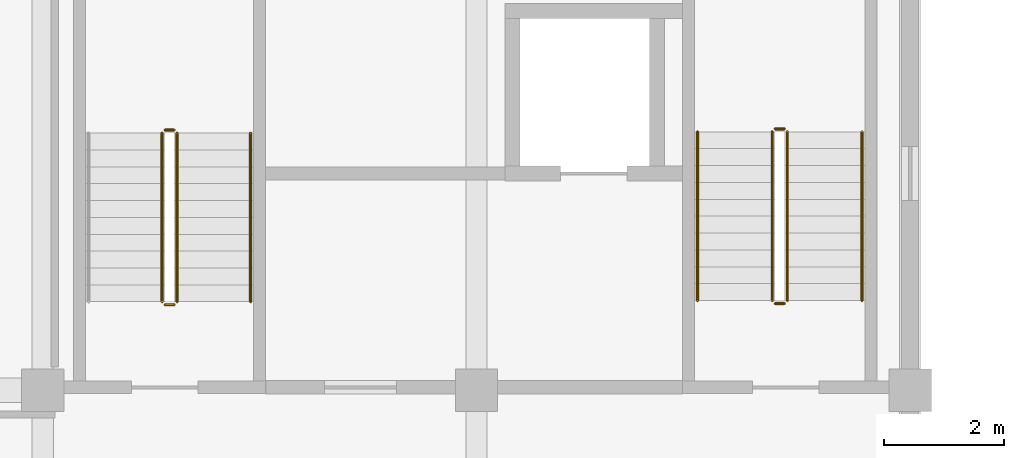
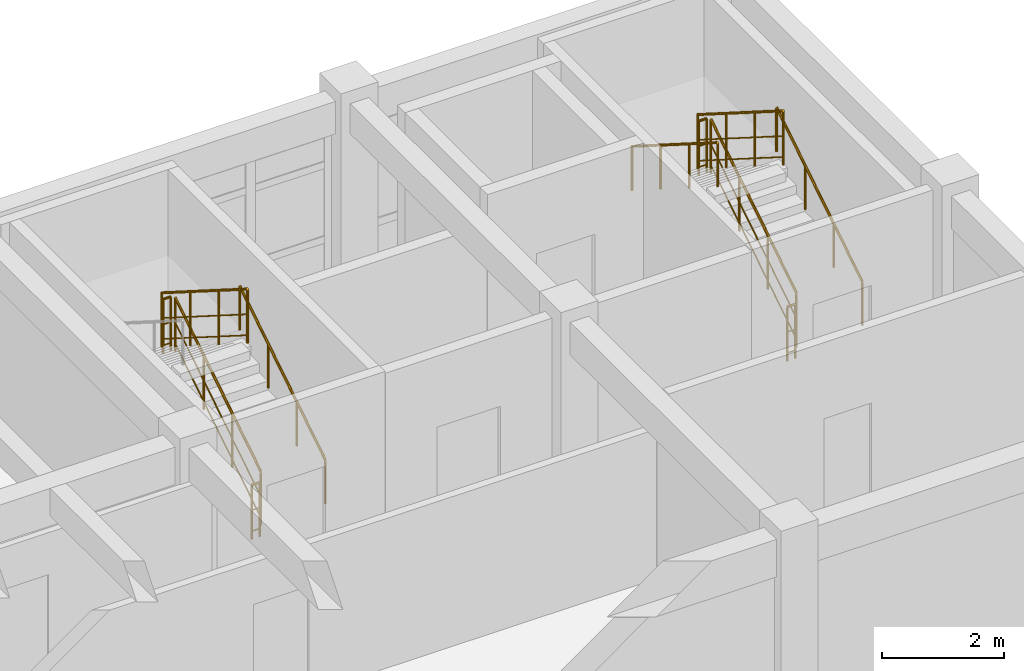
# One storey, part 52 of 54: 11 railings.
"""IFC4 building model written with IfcOpenShell, lengths in metres."""

from ifc_helpers import new_model, si_unit, direction, frame, origin, origin_2d, place, context, subcontext, project, spatial, circle, extrude, material, layer, layer_set, type_object, element, save


model = new_model("IFC4")

# Units and contexts
model_context = context("Model", 3, precision=1e-05, world=origin(), true_north=direction((0.0, 1.0)))
body_context = subcontext(model_context, "Body", "Model", "MODEL_VIEW")
ifc_project = project(units=[si_unit("LENGTHUNIT", "METRE"), si_unit("AREAUNIT", "SQUARE_METRE"), si_unit("VOLUMEUNIT", "CUBIC_METRE"), si_unit("PLANEANGLEUNIT", "RADIAN"), si_unit("MASSUNIT", "GRAM", prefix="KILO")], contexts=[model_context])

# Site, building, storey
site_placement = place(None, origin())
site = spatial("IfcSite", under=ifc_project, at=site_placement, CompositionType="ELEMENT")
building_placement = place(site_placement, origin())
building = spatial("IfcBuilding", under=site, at=building_placement, Name="Koriwan Promenade Central Fire Station", CompositionType="ELEMENT")
storey_placement = place(building_placement, frame((0.0, 0.0, 9.60009765625)))
storey = spatial("IfcBuildingStorey", under=building, at=storey_placement, Name="L02", CompositionType="ELEMENT", Elevation=9.60009765625)

# Railings
ifc_material_1 = material(Name="Steel ASTM A500 Grade C", Category="steel")
ifc_layer_1 = layer(ifc_material_1, 0.050048828125, Name="Steel ASTM A500 Grade C")
ifc_layer_set_1 = layer_set([ifc_layer_1], Name="Steel ASTM A500 Grade C")
railing_type_1 = type_object("IfcRailingType", Name="StairGuard_1100", PredefinedType="BALUSTRADE", material=ifc_layer_set_1)
railing_1_placement = place(storey_placement, frame((98.760009765625, 109.489990234375, 0.17724609375)))
element("IfcRailing", 1, at=railing_1_placement, inside=storey, type_object=railing_type_1, Name="L02 ST04 stair guard 1", PredefinedType="BALUSTRADE", context=body_context, shape_type="SweptSolid", body=[
    extrude(circle(Radius=0.02392578125, at=origin_2d()), frame((0.0, 0.0, 1.076171875), z_axis=(0.0, 0.844908973607, 0.534910110503), x_axis=(-1.0, 0.0, 0.0)), (0.0, 0.0, 1.0), 3.31396484375),
    extrude(circle(Radius=0.012939453125, at=origin_2d()), frame((0.0, 0.0, 0.572021484375), z_axis=(0.0, 0.844908973607, 0.534910110503), x_axis=(-1.0, 0.0, 0.0)), (0.0, 0.0, 1.0), 3.31396484375),
    extrude(circle(Radius=0.012939453125, at=origin_2d()), frame((0.0, 0.0, 0.154052734375), z_axis=(0.0, 0.844908973607, 0.534910110503), x_axis=(-1.0, 0.0, 0.0)), (0.0, 0.0, 1.0), 3.31396484375),
    extrude(circle(Radius=0.02099609375, at=origin_2d()), origin(), (0.0, 0.0, 1.0), 1.052001953125),
    extrude(circle(Radius=0.02099609375, at=origin_2d()), frame((0.0, 0.933349609375, 0.5908203125)), (0.0, 0.0, 1.0), 1.052001953125),
    extrude(circle(Radius=0.02099609375, at=origin_2d()), frame((0.0, 1.86669921875, 1.181884765625)), (0.0, 0.0, 1.0), 1.052001953125),
    extrude(circle(Radius=0.02099609375, at=origin_2d()), frame((0.0, 2.800048828125, 1.772705078125)), (0.0, 0.0, 1.0), 1.052001953125),
])
railing_2_placement = place(storey_placement, frame((98.7099609375, 112.340087890625, 1.949951171875)))
element("IfcRailing", 2, at=railing_2_placement, inside=storey, type_object=railing_type_1, Name="L02 ST04 stair guard 2", PredefinedType="BALUSTRADE", context=body_context, shape_type="SweptSolid", body=[
    extrude(circle(Radius=0.02392578125, at=origin_2d()), frame((0.0, 0.0, 1.076171875), z_axis=(-1.0, 0.0, 0.0), x_axis=(0.0, -1.0, 0.0)), (0.0, 0.0, 1.0), 0.14990234375),
    extrude(circle(Radius=0.012939453125, at=origin_2d()), frame((0.0, 0.0, 0.572021484375), z_axis=(-1.0, 0.0, 0.0), x_axis=(0.0, -1.0, 0.0)), (0.0, 0.0, 1.0), 0.14990234375),
    extrude(circle(Radius=0.012939453125, at=origin_2d()), frame((0.0, 0.0, 0.154052734375), z_axis=(-1.0, 0.0, 0.0), x_axis=(0.0, -1.0, 0.0)), (0.0, 0.0, 1.0), 0.14990234375),
    extrude(circle(Radius=0.02099609375, at=origin_2d()), origin(), (0.0, 0.0, 1.0), 1.052001953125),
    extrude(circle(Radius=0.02099609375, at=origin_2d()), frame((-0.14990234375, 0.0, 0.0)), (0.0, 0.0, 1.0), 1.052001953125),
])
railing_3_placement = place(storey_placement, frame((98.510009765625, 112.2900390625, 2.127197265625)))
element("IfcRailing", 3, at=railing_3_placement, inside=storey, type_object=railing_type_1, Name="L02 ST04 stair guard 3", PredefinedType="BALUSTRADE", context=body_context, shape_type="SweptSolid", body=[
    extrude(circle(Radius=0.02392578125, at=origin_2d()), frame((0.0, 0.0, 1.076171875), z_axis=(0.0, -0.844908973607, 0.534910110503), x_axis=(1.0, 0.0, 0.0)), (0.0, 0.0, 1.0), 3.31396484375),
    extrude(circle(Radius=0.012939453125, at=origin_2d()), frame((0.0, 0.0, 0.572021484375), z_axis=(0.0, -0.844908973607, 0.534910110503), x_axis=(1.0, 0.0, 0.0)), (0.0, 0.0, 1.0), 3.31396484375),
    extrude(circle(Radius=0.012939453125, at=origin_2d()), frame((0.0, 0.0, 0.154052734375), z_axis=(0.0, -0.844908973607, 0.534910110503), x_axis=(1.0, 0.0, 0.0)), (0.0, 0.0, 1.0), 3.31396484375),
    extrude(circle(Radius=0.02099609375, at=origin_2d()), origin(), (0.0, 0.0, 1.0), 1.052001953125),
    extrude(circle(Radius=0.02099609375, at=origin_2d()), frame((0.0, -0.933349609375, 0.5908203125)), (0.0, 0.0, 1.0), 1.052001953125),
    extrude(circle(Radius=0.02099609375, at=origin_2d()), frame((0.0, -1.86669921875, 1.181884765625)), (0.0, 0.0, 1.0), 1.052001953125),
    extrude(circle(Radius=0.02099609375, at=origin_2d()), frame((0.0, -2.800048828125, 1.772705078125)), (0.0, 0.0, 1.0), 1.052001953125),
])
railing_4_placement = place(storey_placement, frame((98.7099609375, 109.43994140625, 0.0)))
element("IfcRailing", 4, at=railing_4_placement, inside=storey, type_object=railing_type_1, Name="L02 ST04 stair guard 4", PredefinedType="BALUSTRADE", context=body_context, shape_type="SweptSolid", body=[
    extrude(circle(Radius=0.02392578125, at=origin_2d()), frame((0.0, 0.0, 1.076171875), z_axis=(-1.0, 0.0, 0.0), x_axis=(0.0, -1.0, 0.0)), (0.0, 0.0, 1.0), 0.14990234375),
    extrude(circle(Radius=0.012939453125, at=origin_2d()), frame((0.0, 0.0, 0.572021484375), z_axis=(-1.0, 0.0, 0.0), x_axis=(0.0, -1.0, 0.0)), (0.0, 0.0, 1.0), 0.14990234375),
    extrude(circle(Radius=0.012939453125, at=origin_2d()), frame((0.0, 0.0, 0.154052734375), z_axis=(-1.0, 0.0, 0.0), x_axis=(0.0, -1.0, 0.0)), (0.0, 0.0, 1.0), 0.14990234375),
    extrude(circle(Radius=0.02099609375, at=origin_2d()), origin(), (0.0, 0.0, 1.0), 1.052001953125),
    extrude(circle(Radius=0.02099609375, at=origin_2d()), frame((-0.14990234375, 0.0, 0.0)), (0.0, 0.0, 1.0), 1.052001953125),
])
railing_5_placement = place(storey_placement, frame((88.6298828125, 109.469970703125, 0.17724609375)))
element("IfcRailing", 5, at=railing_5_placement, inside=storey, type_object=railing_type_1, Name="L02 ST09 stair guard 1", PredefinedType="BALUSTRADE", context=body_context, shape_type="SweptSolid", body=[
    extrude(circle(Radius=0.02392578125, at=origin_2d()), frame((0.0, 0.0, 1.076171875), z_axis=(0.0, 0.844908973607, 0.534910110503), x_axis=(-1.0, 0.0, 0.0)), (0.0, 0.0, 1.0), 3.31396484375),
    extrude(circle(Radius=0.012939453125, at=origin_2d()), frame((0.0, 0.0, 0.572021484375), z_axis=(0.0, 0.844908973607, 0.534910110503), x_axis=(-1.0, 0.0, 0.0)), (0.0, 0.0, 1.0), 3.31396484375),
    extrude(circle(Radius=0.012939453125, at=origin_2d()), frame((0.0, 0.0, 0.154052734375), z_axis=(0.0, 0.844908973607, 0.534910110503), x_axis=(-1.0, 0.0, 0.0)), (0.0, 0.0, 1.0), 3.31396484375),
    extrude(circle(Radius=0.02099609375, at=origin_2d()), origin(), (0.0, 0.0, 1.0), 1.052001953125),
    extrude(circle(Radius=0.02099609375, at=origin_2d()), frame((0.0, 0.933349609375, 0.5908203125)), (0.0, 0.0, 1.0), 1.052001953125),
    extrude(circle(Radius=0.02099609375, at=origin_2d()), frame((0.0, 1.86669921875, 1.181884765625)), (0.0, 0.0, 1.0), 1.052001953125),
    extrude(circle(Radius=0.02099609375, at=origin_2d()), frame((0.0, 2.800048828125, 1.772705078125)), (0.0, 0.0, 1.0), 1.052001953125),
])
railing_6_placement = place(storey_placement, frame((88.580078125, 112.320068359375, 1.949951171875)))
element("IfcRailing", 6, at=railing_6_placement, inside=storey, type_object=railing_type_1, Name="L02 ST09 stair guard 2", PredefinedType="BALUSTRADE", context=body_context, shape_type="SweptSolid", body=[
    extrude(circle(Radius=0.02392578125, at=origin_2d()), frame((0.0, 0.0, 1.076171875), z_axis=(-1.0, 0.0, 0.0), x_axis=(0.0, -1.0, 0.0)), (0.0, 0.0, 1.0), 0.150146484375),
    extrude(circle(Radius=0.012939453125, at=origin_2d()), frame((0.0, 0.0, 0.572021484375), z_axis=(-1.0, 0.0, 0.0), x_axis=(0.0, -1.0, 0.0)), (0.0, 0.0, 1.0), 0.150146484375),
    extrude(circle(Radius=0.012939453125, at=origin_2d()), frame((0.0, 0.0, 0.154052734375), z_axis=(-1.0, 0.0, 0.0), x_axis=(0.0, -1.0, 0.0)), (0.0, 0.0, 1.0), 0.150146484375),
    extrude(circle(Radius=0.02099609375, at=origin_2d()), origin(), (0.0, 0.0, 1.0), 1.052001953125),
    extrude(circle(Radius=0.02099609375, at=origin_2d()), frame((-0.150146484375, 0.0, 0.0)), (0.0, 0.0, 1.0), 1.052001953125),
])
railing_7_placement = place(storey_placement, frame((88.3798828125, 112.27001953125, 2.127197265625)))
element("IfcRailing", 7, at=railing_7_placement, inside=storey, type_object=railing_type_1, Name="L02 ST09 stair guard 3", PredefinedType="BALUSTRADE", context=body_context, shape_type="SweptSolid", body=[
    extrude(circle(Radius=0.02392578125, at=origin_2d()), frame((0.0, 0.0, 1.076171875), z_axis=(0.0, -0.844908973607, 0.534910110503), x_axis=(1.0, 0.0, 0.0)), (0.0, 0.0, 1.0), 3.31396484375),
    extrude(circle(Radius=0.012939453125, at=origin_2d()), frame((0.0, 0.0, 0.572021484375), z_axis=(0.0, -0.844908973607, 0.534910110503), x_axis=(1.0, 0.0, 0.0)), (0.0, 0.0, 1.0), 3.31396484375),
    extrude(circle(Radius=0.012939453125, at=origin_2d()), frame((0.0, 0.0, 0.154052734375), z_axis=(0.0, -0.844908973607, 0.534910110503), x_axis=(1.0, 0.0, 0.0)), (0.0, 0.0, 1.0), 3.31396484375),
    extrude(circle(Radius=0.02099609375, at=origin_2d()), origin(), (0.0, 0.0, 1.0), 1.052001953125),
    extrude(circle(Radius=0.02099609375, at=origin_2d()), frame((0.0, -0.933349609375, 0.5908203125)), (0.0, 0.0, 1.0), 1.052001953125),
    extrude(circle(Radius=0.02099609375, at=origin_2d()), frame((0.0, -1.86669921875, 1.181884765625)), (0.0, 0.0, 1.0), 1.052001953125),
    extrude(circle(Radius=0.02099609375, at=origin_2d()), frame((0.0, -2.800048828125, 1.772705078125)), (0.0, 0.0, 1.0), 1.052001953125),
])
railing_8_placement = place(storey_placement, frame((88.580078125, 109.419921875, 0.0)))
element("IfcRailing", 8, at=railing_8_placement, inside=storey, type_object=railing_type_1, Name="L02 ST09 stair guard 4", PredefinedType="BALUSTRADE", context=body_context, shape_type="SweptSolid", body=[
    extrude(circle(Radius=0.02392578125, at=origin_2d()), frame((0.0, 0.0, 1.076171875), z_axis=(-1.0, 0.0, 0.0), x_axis=(0.0, -1.0, 0.0)), (0.0, 0.0, 1.0), 0.150146484375),
    extrude(circle(Radius=0.012939453125, at=origin_2d()), frame((0.0, 0.0, 0.572021484375), z_axis=(-1.0, 0.0, 0.0), x_axis=(0.0, -1.0, 0.0)), (0.0, 0.0, 1.0), 0.150146484375),
    extrude(circle(Radius=0.012939453125, at=origin_2d()), frame((0.0, 0.0, 0.154052734375), z_axis=(-1.0, 0.0, 0.0), x_axis=(0.0, -1.0, 0.0)), (0.0, 0.0, 1.0), 0.150146484375),
    extrude(circle(Radius=0.02099609375, at=origin_2d()), origin(), (0.0, 0.0, 1.0), 1.052001953125),
    extrude(circle(Radius=0.02099609375, at=origin_2d()), frame((-0.150146484375, 0.0, 0.0)), (0.0, 0.0, 1.0), 1.052001953125),
])
ifc_material_2 = material(Name="Stainless steel 316 tubular handrail", Category="steel")
ifc_layer_2 = layer(ifc_material_2, 0.048095703125, Name="Stainless steel 316 tubular handrail")
ifc_layer_set_2 = layer_set([ifc_layer_2], Name="Stainless steel 316 tubular handrail")
railing_type_2 = type_object("IfcRailingType", Name="StairHandrail_900", PredefinedType="HANDRAIL", material=ifc_layer_set_2)
railing_9_placement = place(storey_placement, frame((100.0, 109.489990234375, 0.17724609375)))
element("IfcRailing", 9, at=railing_9_placement, inside=storey, type_object=railing_type_2, Name="L02 ST04 stair handrail 1", PredefinedType="HANDRAIL", context=body_context, shape_type="SweptSolid", body=[
    extrude(circle(Radius=0.02392578125, at=origin_2d()), frame((0.0, 0.0, 0.8759765625), z_axis=(0.0, 0.844908973607, 0.534910110503), x_axis=(-1.0, 0.0, 0.0)), (0.0, 0.0, 1.0), 3.31396484375),
    extrude(circle(Radius=0.02099609375, at=origin_2d()), origin(), (0.0, 0.0, 1.0), 0.851806640625),
    extrude(circle(Radius=0.02099609375, at=origin_2d()), frame((0.0, 0.933349609375, 0.5908203125)), (0.0, 0.0, 1.0), 0.851806640625),
    extrude(circle(Radius=0.02099609375, at=origin_2d()), frame((0.0, 1.86669921875, 1.181884765625)), (0.0, 0.0, 1.0), 0.851806640625),
    extrude(circle(Radius=0.02099609375, at=origin_2d()), frame((0.0, 2.800048828125, 1.772705078125)), (0.0, 0.0, 1.0), 0.851806640625),
])
railing_10_placement = place(storey_placement, frame((97.27001953125, 112.2900390625, 2.127197265625)))
element("IfcRailing", 10, at=railing_10_placement, inside=storey, type_object=railing_type_2, Name="L02 ST04 stair handrail 2", PredefinedType="HANDRAIL", context=body_context, shape_type="SweptSolid", body=[
    extrude(circle(Radius=0.02392578125, at=origin_2d()), frame((0.0, 0.0, 0.8759765625), z_axis=(0.0, -0.844908973607, 0.534910110503), x_axis=(1.0, 0.0, 0.0)), (0.0, 0.0, 1.0), 3.31396484375),
    extrude(circle(Radius=0.02099609375, at=origin_2d()), origin(), (0.0, 0.0, 1.0), 0.851806640625),
    extrude(circle(Radius=0.02099609375, at=origin_2d()), frame((0.0, -0.933349609375, 0.5908203125)), (0.0, 0.0, 1.0), 0.851806640625),
    extrude(circle(Radius=0.02099609375, at=origin_2d()), frame((0.0, -1.86669921875, 1.181884765625)), (0.0, 0.0, 1.0), 0.851806640625),
    extrude(circle(Radius=0.02099609375, at=origin_2d()), frame((0.0, -2.800048828125, 1.772705078125)), (0.0, 0.0, 1.0), 0.851806640625),
])
railing_11_placement = place(storey_placement, frame((89.85009765625, 109.469970703125, 0.17724609375)))
element("IfcRailing", 11, at=railing_11_placement, inside=storey, type_object=railing_type_2, Name="L02 ST09 stair handrail 1", PredefinedType="HANDRAIL", context=body_context, shape_type="SweptSolid", body=[
    extrude(circle(Radius=0.02392578125, at=origin_2d()), frame((0.0, 0.0, 0.8759765625), z_axis=(0.0, 0.844908973607, 0.534910110503), x_axis=(-1.0, 0.0, 0.0)), (0.0, 0.0, 1.0), 3.31396484375),
    extrude(circle(Radius=0.02099609375, at=origin_2d()), origin(), (0.0, 0.0, 1.0), 0.851806640625),
    extrude(circle(Radius=0.02099609375, at=origin_2d()), frame((0.0, 0.933349609375, 0.5908203125)), (0.0, 0.0, 1.0), 0.851806640625),
    extrude(circle(Radius=0.02099609375, at=origin_2d()), frame((0.0, 1.86669921875, 1.181884765625)), (0.0, 0.0, 1.0), 0.851806640625),
    extrude(circle(Radius=0.02099609375, at=origin_2d()), frame((0.0, 2.800048828125, 1.772705078125)), (0.0, 0.0, 1.0), 0.851806640625),
])

save(model, "model.ifc")
